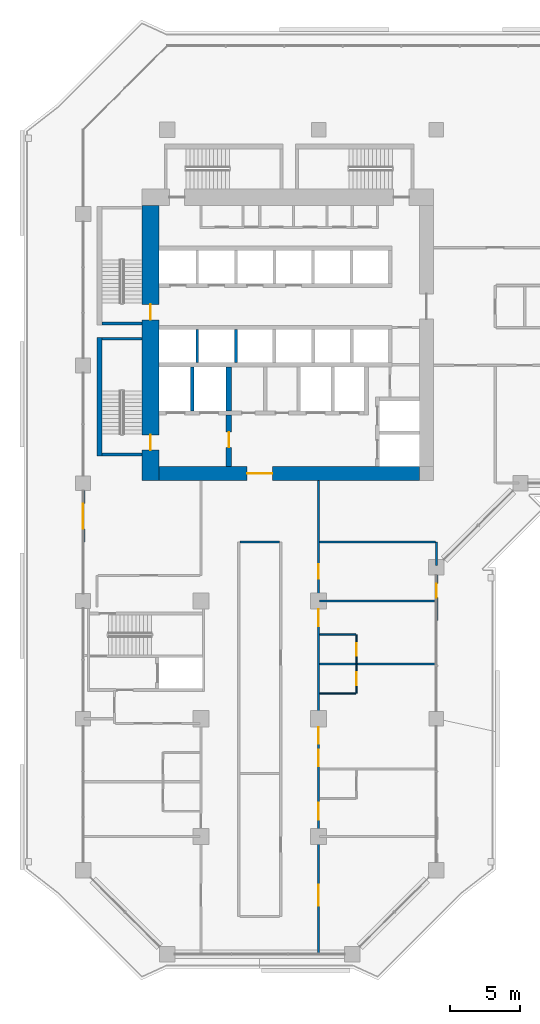
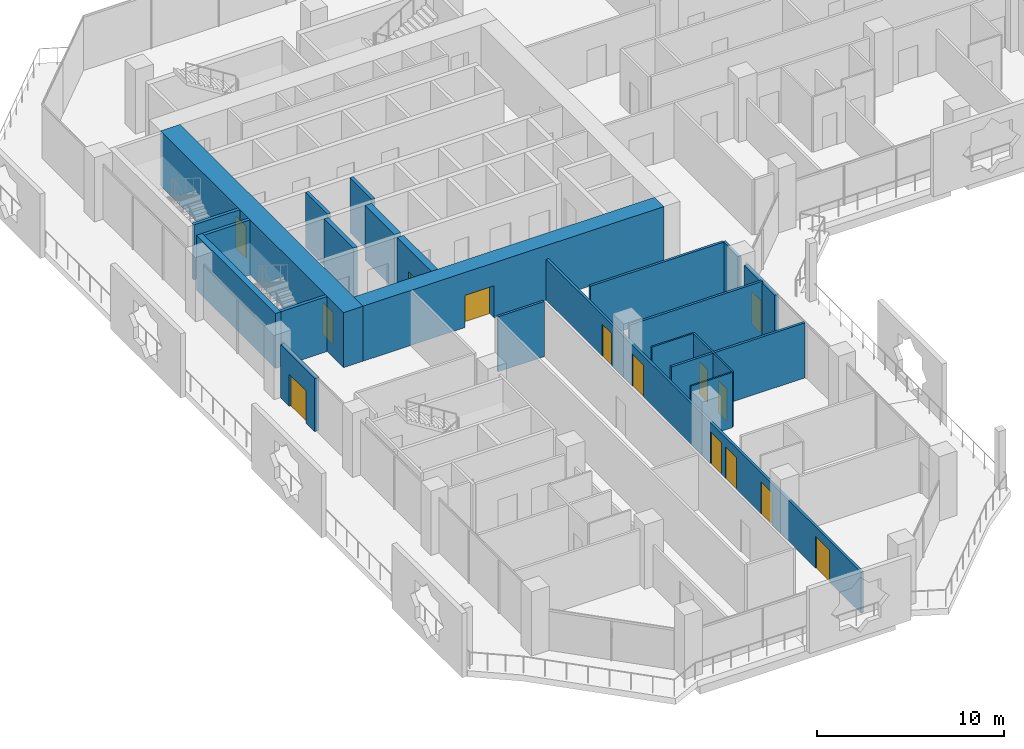
# One storey, part 14 of 25: 22 walls, 14 doors, 14 openings.
"""IFC4 building model written with IfcOpenShell, lengths in metres."""

import ifcopenshell
import ifcopenshell.guid

model = None  # the IFC model being written
_history = None  # IfcOwnerHistory: only IFC2X3 demands one
_inside = {}  # id of a spatial element -> (the spatial element, [elements in it])
_under = {}  # id of a project, library or spatial element -> (it, [spatial elements below it])
_declared = {}  # id of a project -> (the project, [libraries it declares])
_typed = {}  # id of a type object -> (the type object, [elements of that type])
_made_of = {}  # id of a material, layer set ... -> (it, [elements and type objects made of it])


def new_model(schema):
    """Start an empty IFC model of exactly this schema.

    Asked for "IFC4X3", IfcOpenShell would pick the latest addendum, in which some entities
    have other attributes; the version numbers below select the first issue.
    IFC2X3 requires an IfcOwnerHistory on every rooted entity: one is made here for all.
    """
    global model, _history
    if schema == "IFC4X3":
        model = ifcopenshell.file(schema_version=(4, 3, 0, 0))
    else:
        model = ifcopenshell.file(schema=schema)
    _inside.clear()
    _under.clear()
    _declared.clear()
    _typed.clear()
    _made_of.clear()
    _history = None
    if model.schema == "IFC2X3":
        org = make("IfcOrganization", Name="unknown")
        user = make(
            "IfcPersonAndOrganization",
            ThePerson=make("IfcPerson", FamilyName="unknown"),
            TheOrganization=org,
        )
        app = make(
            "IfcApplication",
            ApplicationDeveloper=org,
            Version="unknown",
            ApplicationFullName="unknown",
            ApplicationIdentifier="unknown",
        )
        _history = make(
            "IfcOwnerHistory",
            OwningUser=user,
            OwningApplication=app,
            ChangeAction="ADDED",
            CreationDate=0,
        )
    return model


def make(cls, **values):
    """One entity of the class cls with the attributes given. An attribute that is None is left unset."""
    return model.create_entity(
        cls, **{name: value for name, value in values.items() if value is not None}
    )


def rooted(cls, **values):
    """An entity with a GlobalId (a new one), such as an element, a storey or a relation."""
    return make(cls, GlobalId=ifcopenshell.guid.new(), OwnerHistory=_history, **values)


def si_unit(unit_type, name, prefix=None):
    """IfcSIUnit, for example si_unit("LENGTHUNIT", "METRE", prefix="MILLI")."""
    return make("IfcSIUnit", UnitType=unit_type, Prefix=prefix, Name=name)


def assignment(units):
    """IfcUnitAssignment: the units of a project."""
    return None if units is None else make("IfcUnitAssignment", Units=units)


def point(xyz):
    """IfcCartesianPoint."""
    return None if xyz is None else make("IfcCartesianPoint", Coordinates=xyz)


def direction(xyz):
    """IfcDirection."""
    return None if xyz is None else make("IfcDirection", DirectionRatios=xyz)


def frame(location, z_axis=None, x_axis=None):
    """IfcAxis2Placement3D, a coordinate frame: its origin and axes. An axis left out is left unset."""
    return make(
        "IfcAxis2Placement3D",
        Location=point(location),
        Axis=direction(z_axis),
        RefDirection=direction(x_axis),
    )


def frame_2d(location, x_axis=None):
    """IfcAxis2Placement2D, a coordinate frame in the plane: its origin and x axis."""
    return make(
        "IfcAxis2Placement2D", Location=point(location), RefDirection=direction(x_axis)
    )


def origin():
    """The frame at (0, 0, 0) with its axes left unset."""
    return frame((0.0, 0.0, 0.0))


def place(relative_to, where):
    """IfcLocalPlacement: puts the frame where relative to a parent placement (None: the world)."""
    return make(
        "IfcLocalPlacement", PlacementRelTo=relative_to, RelativePlacement=where
    )


def context(
    kind, dimensions, precision=None, world=None, true_north=None, identifier=None
):
    """IfcGeometricRepresentationContext, for example the 3D "Model" context."""
    return make(
        "IfcGeometricRepresentationContext",
        ContextIdentifier=identifier,
        ContextType=kind,
        CoordinateSpaceDimension=dimensions,
        Precision=precision,
        WorldCoordinateSystem=world,
        TrueNorth=true_north,
    )


def subcontext(parent, identifier, kind, view, scale=None):
    """IfcGeometricRepresentationSubContext, for example "Body" below "Model"."""
    return make(
        "IfcGeometricRepresentationSubContext",
        ContextIdentifier=identifier,
        ContextType=kind,
        ParentContext=parent,
        TargetScale=scale,
        TargetView=view,
    )


def project(units=None, contexts=None):
    """IfcProject with its units and contexts."""
    return rooted(
        "IfcProject",
        Name="project",
        RepresentationContexts=contexts,
        UnitsInContext=assignment(units),
    )


def spatial(cls, under=None, at=None, **own):
    """A site, building, storey or space (cls), placed at a placement, below another one or the project."""
    s = rooted(cls, ObjectPlacement=at, **own)
    if under is not None:
        _under.setdefault(under.id(), (under, []))[1].append(s)
    return s


def profile(cls, at=None, kind="AREA", **sizes):
    """A parametric profile (cls). Its sizes go by their IFC names, for example OverallWidth=200.0."""
    return make(cls, ProfileType=kind, Position=at, **sizes)


def rectangle(**sizes):
    """IfcRectangleProfileDef."""
    return profile("IfcRectangleProfileDef", **sizes)


def extrude(swept, where, along, depth):
    """IfcExtrudedAreaSolid: the profile swept, set in the frame where, extruded along a direction by depth."""
    return make(
        "IfcExtrudedAreaSolid",
        SweptArea=swept,
        Position=where,
        ExtrudedDirection=direction(along),
        Depth=depth,
    )


def shape(context_of_items, identifier, shape_type, items):
    """IfcShapeRepresentation: the items that make up one representation, for example the "Body"."""
    return make(
        "IfcShapeRepresentation",
        ContextOfItems=context_of_items,
        RepresentationIdentifier=identifier,
        RepresentationType=shape_type,
        Items=items,
    )


def material(Name=None, Category=None):
    """IfcMaterial."""
    return make("IfcMaterial", Name=Name, Category=Category)


def layer(
    of_material, thickness, ventilated=None, Name=None, Category=None, Priority=None
):
    """IfcMaterialLayer: one layer of a wall or slab, of a material (None: an air gap)."""
    return make(
        "IfcMaterialLayer",
        Material=of_material,
        LayerThickness=thickness,
        IsVentilated=ventilated,
        Name=Name,
        Category=Category,
        Priority=Priority,
    )


def layer_set(layers, Name=None):
    """IfcMaterialLayerSet."""
    return make("IfcMaterialLayerSet", MaterialLayers=layers, LayerSetName=Name)


def made_of(thing, what):
    """Note that an element or type object is made of a material, layer set ...; save() writes the relation."""
    if what is not None:
        _made_of.setdefault(what.id(), (what, []))[1].append(thing)
    return thing


def type_object(cls, material=None, **own):
    """A type object (cls), such as IfcWallType, which elements share."""
    return made_of(rooted(cls, **own), material)


def element(
    cls,
    number,
    at=None,
    inside=None,
    cuts=None,
    type_object=None,
    material=None,
    context=None,
    identifier="Body",
    shape_type=None,
    held_by="IfcProductDefinitionShape",
    body=None,
    shapes=None,
    **own,
):
    """One element of the class cls, such as IfcWall. Its Tag is "e" and its number.

    at: its placement. inside: the storey or other place that contains it. cuts: it is an
    opening in that element (IfcRelVoidsElement). A single representation is given by context,
    identifier, shape_type and body (its items); several are given by shapes. held_by: the class
    of the entity that holds the representations. save() writes the other relations.
    """
    e = rooted(cls, Tag="e%d" % number, ObjectPlacement=at, **own)
    if body is not None:
        shapes = [shape(context, identifier, shape_type, body)]
    if shapes is not None:
        e.Representation = make(held_by, Representations=shapes)
    if inside is not None:
        _inside.setdefault(inside.id(), (inside, []))[1].append(e)
    if cuts is not None:
        rooted(
            "IfcRelVoidsElement", RelatingBuildingElement=cuts, RelatedOpeningElement=e
        )
    if type_object is not None:
        _typed.setdefault(type_object.id(), (type_object, []))[1].append(e)
    return made_of(e, material)


def fill(opening, filler):
    """IfcRelFillsElement: the door or window that sits in an opening."""
    return rooted(
        "IfcRelFillsElement",
        RelatingOpeningElement=opening,
        RelatedBuildingElement=filler,
    )


def aggregate(whole, parts):
    """IfcRelAggregates: a whole, such as a stair, and the parts it consists of."""
    return rooted("IfcRelAggregates", RelatingObject=whole, RelatedObjects=parts)


def save(model, path):
    """Write the relations noted so far, then the file.

    IfcRelAggregates (storeys below a building ...), IfcRelContainedInSpatialStructure (elements
    in a storey), IfcRelDefinesByType, IfcRelAssociatesMaterial and IfcRelDeclares: one each for
    every whole, place, type object, material and project.
    """
    for whole, parts in _under.values():
        aggregate(whole, parts)
    for where, things in _inside.values():
        rooted(
            "IfcRelContainedInSpatialStructure",
            RelatedElements=things,
            RelatingStructure=where,
        )
    for kind, things in _typed.values():
        rooted("IfcRelDefinesByType", RelatedObjects=things, RelatingType=kind)
    for what, things in _made_of.values():
        rooted("IfcRelAssociatesMaterial", RelatedObjects=things, RelatingMaterial=what)
    for by, libraries in _declared.values():
        rooted("IfcRelDeclares", RelatingContext=by, RelatedDefinitions=libraries)
    model.write(path)


model = new_model("IFC4")

# Units and contexts
model_context = context("Model", 3, precision=1e-05, world=origin(), true_north=direction((0.0, 1.0)))
body_context = subcontext(model_context, "Body", "Model", "MODEL_VIEW")
ifc_project = project(units=[si_unit("LENGTHUNIT", "METRE"), si_unit("AREAUNIT", "SQUARE_METRE"), si_unit("VOLUMEUNIT", "CUBIC_METRE"), si_unit("PLANEANGLEUNIT", "RADIAN"), si_unit("MASSUNIT", "GRAM", prefix="KILO")], contexts=[model_context])

# Site, building, storey
site_placement = place(None, origin())
site = spatial("IfcSite", under=ifc_project, at=site_placement, CompositionType="ELEMENT")
building_placement = place(site_placement, origin())
building = spatial("IfcBuilding", under=site, at=building_placement, Name="Kawkab Arch Medical Tower", CompositionType="ELEMENT")
storey_placement = place(building_placement, frame((0.0, 0.0, 111.39990234375)))
storey = spatial("IfcBuildingStorey", under=building, at=storey_placement, Name="L25", CompositionType="ELEMENT", Elevation=111.39990234375)

# Wall, opening, door
ifc_material_1 = material(Name="Concrete C60/75", Category="concrete")
ifc_layer_1 = layer(ifc_material_1, 1.0)
ifc_layer_set_1 = layer_set([ifc_layer_1], Name="Concrete C60/75")
wall_type_1 = type_object("IfcWallType", Name="Core ring wall 1000 C60/75", PredefinedType="SHEAR", material=ifc_layer_set_1)
wall_1_placement = place(storey_placement, frame((5.39990234375, -24.5, 0.0), z_axis=(0.0, 0.0, 1.0), x_axis=(1.0, 0.0, 0.0)))
wall_1 = element("IfcWall", 1, at=wall_1_placement, inside=storey, type_object=wall_type_1, Name="L25 core wall", PredefinedType="SHEAR", context=body_context, shape_type="SweptSolid", body=[
    extrude(rectangle(XDim=18.60009765625, YDim=1.0, at=frame_2d((9.300048828125, 0.0))), origin(), (0.0, 0.0, 1.0), 3.60009765625),
])
opening_1_placement = place(wall_1_placement, frame((6.300048828125, 0.0, 0.0)))
opening_1 = element("IfcOpeningElement", 2, at=opening_1_placement, cuts=wall_1, Name="Opening PD", PredefinedType="OPENING", context=body_context, shape_type="SweptSolid", body=[
    extrude(rectangle(XDim=1.800048828125, YDim=2.10009765625, at=frame_2d((0.89990234375, 1.050048828125))), frame((0.0, 0.510009765625, 0.0), z_axis=(0.0, -1.0, 0.0), x_axis=(1.0, 0.0, 0.0)), (0.0, 0.0, 1.0), 1.02001953125),
])
ifc_material_2 = material(Name="Hollow metal fire door leaf")
door_type_1 = type_object("IfcDoorType", Name="Core entrance doors 1800", OperationType="DOUBLE_DOOR_SINGLE_SWING", PredefinedType="DOOR", material=ifc_material_2)
door_1_placement = place(opening_1_placement, origin())
door_1 = element("IfcDoor", 3, at=door_1_placement, inside=storey, type_object=door_type_1, Name="L25 South entrance doors", OperationType="DOUBLE_DOOR_SINGLE_SWING", OverallHeight=2.10009765625, OverallWidth=1.800048828125, PredefinedType="DOOR", context=body_context, shape_type="SweptSolid", body=[
    extrude(rectangle(XDim=1.800048828125, YDim=2.10009765625, at=frame_2d((0.89990234375, 1.050048828125))), frame((0.0, 0.02490234375, 0.0), z_axis=(0.0, -1.0, 0.0), x_axis=(1.0, 0.0, 0.0)), (0.0, 0.0, 1.0), 0.050048828125),
])
fill(opening_1, door_1)

# Wall, openings, doors
ifc_material_3 = material(Name="Concrete C60/75", Category="concrete")
ifc_layer_2 = layer(ifc_material_3, 1.199951171875)
ifc_layer_set_2 = layer_set([ifc_layer_2], Name="Concrete C60/75")
wall_type_2 = type_object("IfcWallType", Name="Core ring wall 1200 C60/75", PredefinedType="SHEAR", material=ifc_layer_set_2)
wall_2_placement = place(storey_placement, frame((4.800048828125, -25.0, 0.0), z_axis=(0.0, 0.0, 1.0), x_axis=(0.0, 1.0, 0.0)))
wall_2 = element("IfcWall", 4, at=wall_2_placement, inside=storey, type_object=wall_type_2, Name="L25 core wall", PredefinedType="SHEAR", context=body_context, shape_type="SweptSolid", body=[
    extrude(rectangle(XDim=19.60009765625, YDim=1.199951171875, at=frame_2d((9.800048828125, 0.0))), origin(), (0.0, 0.0, 1.0), 3.60009765625),
])
opening_2_placement = place(wall_2_placement, frame((11.449951171875, 0.0, 0.0)))
opening_2 = element("IfcOpeningElement", 5, at=opening_2_placement, cuts=wall_2, Name="Opening SD", PredefinedType="OPENING", context=body_context, shape_type="SweptSolid", body=[
    extrude(rectangle(XDim=1.10009765625, YDim=2.10009765625, at=frame_2d((0.550048828125, 1.050048828125))), frame((0.0, 0.60986328125, 0.0), z_axis=(0.0, -1.0, 0.0), x_axis=(1.0, 0.0, 0.0)), (0.0, 0.0, 1.0), 1.219970703125),
])
opening_3_placement = place(wall_2_placement, frame((2.14990234375, 0.0, 0.0)))
opening_3 = element("IfcOpeningElement", 6, at=opening_3_placement, cuts=wall_2, Name="Opening SD", PredefinedType="OPENING", context=body_context, shape_type="SweptSolid", body=[
    extrude(rectangle(XDim=1.10009765625, YDim=2.10009765625, at=frame_2d((0.550048828125, 1.050048828125))), frame((0.0, 0.60986328125, 0.0), z_axis=(0.0, -1.0, 0.0), x_axis=(1.0, 0.0, 0.0)), (0.0, 0.0, 1.0), 1.219970703125),
])
ifc_material_4 = material(Name="Hollow metal fire door leaf")
door_type_2 = type_object("IfcDoorType", Name="Exit stair door 1100", OperationType="SINGLE_SWING_LEFT", PredefinedType="DOOR", material=ifc_material_4)
door_2_placement = place(opening_2_placement, origin())
door_2 = element("IfcDoor", 7, at=door_2_placement, inside=storey, type_object=door_type_2, Name="L25 Exit stair ST1 door", OperationType="SINGLE_SWING_LEFT", OverallHeight=2.10009765625, OverallWidth=1.10009765625, PredefinedType="DOOR", context=body_context, shape_type="SweptSolid", body=[
    extrude(rectangle(XDim=1.10009765625, YDim=2.10009765625, at=frame_2d((0.550048828125, 1.050048828125))), frame((0.0, 0.02490234375, 0.0), z_axis=(0.0, -1.0, 0.0), x_axis=(1.0, 0.0, 0.0)), (0.0, 0.0, 1.0), 0.050048828125),
])
fill(opening_2, door_2)
door_3_placement = place(opening_3_placement, origin())
door_3 = element("IfcDoor", 8, at=door_3_placement, inside=storey, type_object=door_type_2, Name="L25 Exit stair ST2 door", OperationType="SINGLE_SWING_LEFT", OverallHeight=2.10009765625, OverallWidth=1.10009765625, PredefinedType="DOOR", context=body_context, shape_type="SweptSolid", body=[
    extrude(rectangle(XDim=1.10009765625, YDim=2.10009765625, at=frame_2d((0.550048828125, 1.050048828125))), frame((0.0, 0.02490234375, 0.0), z_axis=(0.0, -1.0, 0.0), x_axis=(1.0, 0.0, 0.0)), (0.0, 0.0, 1.0), 0.050048828125),
])
fill(opening_3, door_3)

# Wall
ifc_material_5 = material(Name="Concrete C60/75", Category="concrete")
ifc_layer_3 = layer(ifc_material_5, 0.25)
ifc_layer_set_3 = layer_set([ifc_layer_3], Name="Concrete C60/75")
wall_type_3 = type_object("IfcWallType", Name="Core shear wall 250 C60/75", PredefinedType="SHEAR", material=ifc_layer_set_3)
wall_3_placement = place(storey_placement, frame((7.800048828125, -20.050048828125, 0.0), z_axis=(0.0, 0.0, 1.0), x_axis=(0.0, 1.0, 0.0)))
element("IfcWall", 9, at=wall_3_placement, inside=storey, type_object=wall_type_3, Name="L25 core shear wall", PredefinedType="SHEAR", context=body_context, shape_type="SweptSolid", body=[
    extrude(rectangle(XDim=3.150146484375, YDim=0.25, at=frame_2d((1.5751953125, 0.0))), origin(), (0.0, 0.0, 1.0), 3.60009765625),
])

# Wall, opening, door
ifc_material_6 = material(Name="Concrete C60/75", Category="concrete")
ifc_layer_4 = layer(ifc_material_6, 0.39990234375)
ifc_layer_set_4 = layer_set([ifc_layer_4], Name="Concrete C60/75")
wall_type_4 = type_object("IfcWallType", Name="Core shear wall 400 C60/75", PredefinedType="SHEAR", material=ifc_layer_set_4)
wall_4_placement = place(storey_placement, frame((10.39990234375, -24.0, 0.0), z_axis=(0.0, 0.0, 1.0), x_axis=(0.0, 1.0, 0.0)))
wall_4 = element("IfcWall", 10, at=wall_4_placement, inside=storey, type_object=wall_type_4, Name="L25 core shear wall", PredefinedType="SHEAR", context=body_context, shape_type="SweptSolid", body=[
    extrude(rectangle(XDim=3.64990234375, YDim=0.39990234375, at=frame_2d((1.824951171875, 0.0))), origin(), (0.0, 0.0, 1.0), 3.60009765625),
])
opening_4_placement = place(wall_4_placement, frame((1.35009765625, 0.0, 0.0)))
opening_4 = element("IfcOpeningElement", 11, at=opening_4_placement, cuts=wall_4, Name="Opening FD", PredefinedType="OPENING", context=body_context, shape_type="SweptSolid", body=[
    extrude(rectangle(XDim=1.10009765625, YDim=2.10009765625, at=frame_2d((0.550048828125, 1.050048828125))), frame((0.0, 0.2099609375, 0.0), z_axis=(0.0, -1.0, 0.0), x_axis=(1.0, 0.0, 0.0)), (0.0, 0.0, 1.0), 0.419921875),
])
ifc_material_7 = material(Name="Hollow metal fire door leaf")
door_type_3 = type_object("IfcDoorType", Name="Firefighting lobby door 1100", OperationType="SINGLE_SWING_LEFT", PredefinedType="DOOR", material=ifc_material_7)
door_4_placement = place(opening_4_placement, origin())
door_4 = element("IfcDoor", 12, at=door_4_placement, inside=storey, type_object=door_type_3, Name="L25 Firefighting lobby door", OperationType="SINGLE_SWING_LEFT", OverallHeight=2.10009765625, OverallWidth=1.10009765625, PredefinedType="DOOR", context=body_context, shape_type="SweptSolid", body=[
    extrude(rectangle(XDim=1.10009765625, YDim=2.10009765625, at=frame_2d((0.550048828125, 1.050048828125))), frame((0.0, 0.02490234375, 0.0), z_axis=(0.0, -1.0, 0.0), x_axis=(1.0, 0.0, 0.0)), (0.0, 0.0, 1.0), 0.050048828125),
])
fill(opening_4, door_4)

# Wall
wall_5_placement = place(storey_placement, frame((10.39990234375, -20.050048828125, 0.0), z_axis=(0.0, 0.0, 1.0), x_axis=(0.0, 1.0, 0.0)))
element("IfcWall", 13, at=wall_5_placement, inside=storey, type_object=wall_type_4, Name="L25 core shear wall", PredefinedType="SHEAR", context=body_context, shape_type="SweptSolid", body=[
    extrude(rectangle(XDim=3.150146484375, YDim=0.39990234375, at=frame_2d((1.5751953125, 0.0))), origin(), (0.0, 0.0, 1.0), 3.60009765625),
])

# Wall, opening, door
ifc_material_8 = material(Name="Bronze clad insulated wall panel")
ifc_layer_5 = layer(ifc_material_8, 0.25)
ifc_layer_set_5 = layer_set([ifc_layer_5], Name="Bronze clad insulated wall panel")
wall_type_5 = type_object("IfcWallType", Name="External wall bay 250", PredefinedType="SOLIDWALL", material=ifc_layer_set_5)
wall_6_placement = place(storey_placement, frame((0.0, -25.72509765625, 0.0), z_axis=(0.0, 0.0, 1.0), x_axis=(0.0, -1.0, 0.0)))
wall_6 = element("IfcWall", 14, at=wall_6_placement, inside=storey, type_object=wall_type_5, Name="External wall bay L25.R01.4.1", PredefinedType="SOLIDWALL", context=body_context, shape_type="SweptSolid", body=[
    extrude(rectangle(XDim=3.6748046875, YDim=0.25, at=frame_2d((1.83740234375, 0.0))), origin(), (0.0, 0.0, 1.0), 3.47998046875),
])
opening_5_placement = place(wall_6_placement, frame((0.9375, 0.0, 0.0)))
opening_5 = element("IfcOpeningElement", 15, at=opening_5_placement, cuts=wall_6, Name="Opening W25-701", PredefinedType="OPENING", context=body_context, shape_type="SweptSolid", body=[
    extrude(rectangle(XDim=1.800048828125, YDim=2.10009765625, at=frame_2d((0.89990234375, 1.050048828125))), frame((0.0, 0.135009765625, 0.0), z_axis=(0.0, -1.0, 0.0), x_axis=(1.0, 0.0, 0.0)), (0.0, 0.0, 1.0), 0.27001953125),
])
ifc_material_9 = material(Name="Bronze anodised aluminium door with tinted glass", Category="aluminium")
door_type_4 = type_object("IfcDoorType", Name="Double external door 1800 x 2100", OperationType="DOUBLE_DOOR_SINGLE_SWING", PredefinedType="DOOR", material=ifc_material_9)
door_5_placement = place(opening_5_placement, origin())
door_5 = element("IfcDoor", 16, at=door_5_placement, inside=storey, type_object=door_type_4, Name="External door L25.R01.4.1", OperationType="DOUBLE_DOOR_SINGLE_SWING", OverallHeight=2.10009765625, OverallWidth=1.800048828125, PredefinedType="DOOR", context=body_context, shape_type="SweptSolid", body=[
    extrude(rectangle(XDim=1.800048828125, YDim=2.10009765625, at=frame_2d((0.89990234375, 1.050048828125))), frame((0.0, 0.02490234375, 0.0), z_axis=(0.0, -1.0, 0.0), x_axis=(1.0, 0.0, 0.0)), (0.0, 0.0, 1.0), 0.050048828125),
])
fill(opening_5, door_5)

wall_7_placement = place(storey_placement, frame((25.199951171875, -34.99169921875, 0.0), z_axis=(0.0, 0.0, 1.0), x_axis=(0.0, 1.0, 0.0)))
wall_7 = element("IfcWall", 17, at=wall_7_placement, inside=storey, type_object=wall_type_5, Name="External wall bay L25.R05.2.3", PredefinedType="SOLIDWALL", context=body_context, shape_type="SweptSolid", body=[
    extrude(rectangle(XDim=3.24169921875, YDim=0.25, at=frame_2d((1.620849609375, 0.0))), origin(), (0.0, 0.0, 1.0), 3.47998046875),
])
opening_6_placement = place(wall_7_placement, frame((1.620849609375, 0.0, 0.0)))
opening_6 = element("IfcOpeningElement", 18, at=opening_6_placement, cuts=wall_7, Name="Opening W25-702", PredefinedType="OPENING", context=body_context, shape_type="SweptSolid", body=[
    extrude(rectangle(XDim=1.0, YDim=2.10009765625, at=frame_2d((0.5, 1.050048828125))), frame((0.0, 0.135009765625, 0.0), z_axis=(0.0, -1.0, 0.0), x_axis=(1.0, 0.0, 0.0)), (0.0, 0.0, 1.0), 0.27001953125),
])
ifc_material_10 = material(Name="Bronze anodised aluminium door with tinted glass", Category="aluminium")
door_type_5 = type_object("IfcDoorType", Name="Single external door 1000 x 2100", OperationType="SINGLE_SWING_LEFT", PredefinedType="DOOR", material=ifc_material_10)
door_6_placement = place(opening_6_placement, origin())
door_6 = element("IfcDoor", 19, at=door_6_placement, inside=storey, type_object=door_type_5, Name="External door L25.R05.2.3", OperationType="SINGLE_SWING_LEFT", OverallHeight=2.10009765625, OverallWidth=1.0, PredefinedType="DOOR", context=body_context, shape_type="SweptSolid", body=[
    extrude(rectangle(XDim=1.0, YDim=2.10009765625, at=frame_2d((0.5, 1.050048828125))), frame((0.0, 0.02490234375, 0.0), z_axis=(0.0, -1.0, 0.0), x_axis=(1.0, 0.0, 0.0)), (0.0, 0.0, 1.0), 0.050048828125),
])
fill(opening_6, door_6)

# Walls
ifc_material_11 = material(Name="Dense concrete blockwork", Category="masonry")
ifc_layer_6 = layer(ifc_material_11, 0.199951171875)
ifc_layer_set_6 = layer_set([ifc_layer_6], Name="Dense concrete blockwork")
wall_type_6 = type_object("IfcWallType", Name="Lift shaft partition 200", PredefinedType="PARTITIONING", material=ifc_layer_set_6)
for number, where, z_axis, x_axis, name in (
    (20, (8.14990234375, -16.60009765625, 0.0), (0.0, 0.0, 1.0), (0.0, 1.0, 0.0), "L25 lift shaft partition"),
    (21, (10.89990234375, -16.60009765625, 0.0), (0.0, 0.0, 1.0), (0.0, 1.0, 0.0), "L25 lift shaft partition"),
):
    element("IfcWall", number, at=place(storey_placement, frame(where, z_axis=z_axis, x_axis=x_axis)), inside=storey, type_object=wall_type_6, Name=name, PredefinedType="PARTITIONING", context=body_context, shape_type="SweptSolid", body=[
        extrude(rectangle(XDim=2.35009765625, YDim=0.199951171875, at=frame_2d((1.175048828125, 0.0))), origin(), (0.0, 0.0, 1.0), 3.60009765625),
    ])
ifc_material_12 = material(Name="Gypsum board partition on steel studs", Category="steel")
ifc_layer_7 = layer(ifc_material_12, 0.10009765625)
ifc_layer_set_7 = layer_set([ifc_layer_7], Name="Gypsum board partition on steel studs")
wall_type_7 = type_object("IfcWallType", Name="Partition 100", PredefinedType="PARTITIONING", material=ifc_layer_set_7)
wall_8_placement = place(storey_placement, frame((16.875, -40.199951171875, 0.0), z_axis=(0.0, 0.0, 1.0), x_axis=(1.0, 0.0, 0.0)))
element("IfcWall", 22, at=wall_8_placement, inside=storey, type_object=wall_type_7, Name="Partition 100 w004", PredefinedType="PARTITIONING", context=body_context, shape_type="SweptSolid", body=[
    extrude(rectangle(XDim=2.573974609375, YDim=0.10009765625, at=frame_2d((1.287109375, 0.0))), origin(), (0.0, 0.0, 1.0), 3.60009765625),
])
wall_9_placement = place(storey_placement, frame((16.875, -36.0, 0.0), z_axis=(0.0, 0.0, 1.0), x_axis=(1.0, 0.0, 0.0)))
element("IfcWall", 23, at=wall_9_placement, inside=storey, type_object=wall_type_7, Name="Partition 100 w005", PredefinedType="PARTITIONING", context=body_context, shape_type="SweptSolid", body=[
    extrude(rectangle(XDim=2.574951171875, YDim=0.10009765625, at=frame_2d((1.28759765625, 0.0))), origin(), (0.0, 0.0, 1.0), 3.60009765625),
])

# Wall, openings, doors
wall_10_placement = place(storey_placement, frame((19.5, -40.197998046875, 0.0), z_axis=(0.0, 0.0, 1.0), x_axis=(0.0, 1.0, 0.0)))
wall_10 = element("IfcWall", 24, at=wall_10_placement, inside=storey, type_object=wall_type_7, Name="Partition 100 w017", PredefinedType="PARTITIONING", context=body_context, shape_type="SweptSolid", body=[
    extrude(rectangle(XDim=4.197998046875, YDim=0.10009765625, at=frame_2d((2.09912109375, 0.0))), origin(), (0.0, 0.0, 1.0), 3.60009765625),
])
opening_7_placement = place(wall_10_placement, frame((2.697998046875, 0.0, 0.0)))
opening_7 = element("IfcOpeningElement", 25, at=opening_7_placement, cuts=wall_10, Name="Opening W25-018", PredefinedType="OPENING", context=body_context, shape_type="SweptSolid", body=[
    extrude(rectangle(XDim=0.89990234375, YDim=2.10009765625, at=frame_2d((0.449951171875, 1.050048828125))), frame((0.0, 0.06005859375, 0.0), z_axis=(0.0, -1.0, 0.0), x_axis=(1.0, 0.0, 0.0)), (0.0, 0.0, 1.0), 0.1201171875),
])
opening_8_placement = place(wall_10_placement, frame((0.59912109375, 0.0, 0.0)))
opening_8 = element("IfcOpeningElement", 26, at=opening_8_placement, cuts=wall_10, Name="Opening W25-019", PredefinedType="OPENING", context=body_context, shape_type="SweptSolid", body=[
    extrude(rectangle(XDim=0.89990234375, YDim=2.10009765625, at=frame_2d((0.449951171875, 1.050048828125))), frame((0.0, 0.06005859375, 0.0), z_axis=(0.0, -1.0, 0.0), x_axis=(1.0, 0.0, 0.0)), (0.0, 0.0, 1.0), 0.1201171875),
])
ifc_material_13 = material(Name="Timber door leaf", Category="wood")
door_type_6 = type_object("IfcDoorType", Name="Single door 900x2100", OperationType="NOTDEFINED", PredefinedType="DOOR", material=ifc_material_13)
door_7_placement = place(opening_7_placement, origin())
door_7 = element("IfcDoor", 27, at=door_7_placement, inside=storey, type_object=door_type_6, Name="Door W25-018", OperationType="SINGLE_SWING_LEFT", OverallHeight=2.10009765625, OverallWidth=0.89990234375, PredefinedType="DOOR", context=body_context, shape_type="SweptSolid", body=[
    extrude(rectangle(XDim=0.89990234375, YDim=2.10009765625, at=frame_2d((0.449951171875, 1.050048828125))), frame((0.0, 0.02490234375, 0.0), z_axis=(0.0, -1.0, 0.0), x_axis=(1.0, 0.0, 0.0)), (0.0, 0.0, 1.0), 0.050048828125),
])
fill(opening_7, door_7)
door_8_placement = place(opening_8_placement, origin())
door_8 = element("IfcDoor", 28, at=door_8_placement, inside=storey, type_object=door_type_6, Name="Door W25-019", OperationType="SINGLE_SWING_RIGHT", OverallHeight=2.10009765625, OverallWidth=0.89990234375, PredefinedType="DOOR", context=body_context, shape_type="SweptSolid", body=[
    extrude(rectangle(XDim=0.89990234375, YDim=2.10009765625, at=frame_2d((0.449951171875, 1.050048828125))), frame((0.0, 0.02490234375, 0.0), z_axis=(0.0, -1.0, 0.0), x_axis=(1.0, 0.0, 0.0)), (0.0, 0.0, 1.0), 0.050048828125),
])
fill(opening_8, door_8)

# Walls
ifc_material_14 = material(Name="Gypsum board partition on steel studs, mineral wool", Category="steel")
ifc_layer_8 = layer(ifc_material_14, 0.14990234375)
ifc_layer_set_8 = layer_set([ifc_layer_8], Name="Gypsum board partition on steel studs, mineral wool")
wall_type_8 = type_object("IfcWallType", Name="Partition 150", PredefinedType="PARTITIONING", material=ifc_layer_set_8)
for number, where, z_axis, x_axis, name in (
    (29, (16.875, -38.10009765625, 0.0), (0.0, 0.0, 1.0), (1.0, 0.0, 0.0), "Partition 150 w036"),
    (30, (16.875, -33.60009765625, 0.0), (0.0, 0.0, 1.0), (1.0, 0.0, 0.0), "Partition 150 w038"),
):
    element("IfcWall", number, at=place(storey_placement, frame(where, z_axis=z_axis, x_axis=x_axis)), inside=storey, type_object=wall_type_8, Name=name, PredefinedType="PARTITIONING", context=body_context, shape_type="SweptSolid", body=[
        extrude(rectangle(XDim=8.2451171875, YDim=0.14990234375, at=frame_2d((4.12255859375, 0.0))), origin(), (0.0, 0.0, 1.0), 3.60009765625),
    ])
wall_11_placement = place(storey_placement, frame((11.175048828125, -29.39990234375, 0.0), z_axis=(0.0, 0.0, 1.0), x_axis=(1.0, 0.0, 0.0)))
element("IfcWall", 31, at=wall_11_placement, inside=storey, type_object=wall_type_8, Name="Partition 150 w040", PredefinedType="PARTITIONING", context=body_context, shape_type="SweptSolid", body=[
    extrude(rectangle(XDim=2.849853515625, YDim=0.14990234375, at=frame_2d((1.4248046875, 0.0))), origin(), (0.0, 0.0, 1.0), 3.60009765625),
])
wall_12_placement = place(storey_placement, frame((16.875, -29.39990234375, 0.0), z_axis=(0.0, 0.0, 1.0), x_axis=(1.0, 0.0, 0.0)))
element("IfcWall", 32, at=wall_12_placement, inside=storey, type_object=wall_type_8, Name="Partition 150 w041", PredefinedType="PARTITIONING", context=body_context, shape_type="SweptSolid", body=[
    extrude(rectangle(XDim=8.25, YDim=0.14990234375, at=frame_2d((4.125, 0.0))), origin(), (0.0, 0.0, 1.0), 3.60009765625),
])

# Wall, openings, doors
wall_13_placement = place(storey_placement, frame((16.800048828125, -58.719970703125, 0.0), z_axis=(0.0, 0.0, 1.0), x_axis=(0.0, 1.0, 0.0)))
wall_13 = element("IfcWall", 33, at=wall_13_placement, inside=storey, type_object=wall_type_8, Name="Partition 150 w060", PredefinedType="PARTITIONING", context=body_context, shape_type="SweptSolid", body=[
    extrude(rectangle(XDim=33.719970703125, YDim=0.14990234375, at=frame_2d((16.85986328125, 0.0))), origin(), (0.0, 0.0, 1.0), 2.7001953125),
])
opening_9_placement = place(wall_13_placement, frame((26.719970703125, 0.0, 0.0)))
opening_9 = element("IfcOpeningElement", 34, at=opening_9_placement, cuts=wall_13, Name="Opening W25-036", PredefinedType="OPENING", context=body_context, shape_type="SweptSolid", body=[
    extrude(rectangle(XDim=1.0, YDim=2.10009765625, at=frame_2d((0.5, 1.050048828125))), frame((0.0, 0.0849609375, 0.0), z_axis=(0.0, -1.0, 0.0), x_axis=(1.0, 0.0, 0.0)), (0.0, 0.0, 1.0), 0.169921875),
])
opening_10_placement = place(wall_13_placement, frame((23.320068359375, 0.0, 0.0)))
opening_10 = element("IfcOpeningElement", 35, at=opening_10_placement, cuts=wall_13, Name="Opening W25-054", PredefinedType="OPENING", context=body_context, shape_type="SweptSolid", body=[
    extrude(rectangle(XDim=1.199951171875, YDim=2.10009765625, at=frame_2d((0.60009765625, 1.050048828125))), frame((0.0, 0.0849609375, 0.0), z_axis=(0.0, -1.0, 0.0), x_axis=(1.0, 0.0, 0.0)), (0.0, 0.0, 1.0), 0.169921875),
])
opening_11_placement = place(wall_13_placement, frame((14.919921875, 0.0, 0.0)))
opening_11 = element("IfcOpeningElement", 36, at=opening_11_placement, cuts=wall_13, Name="Opening W25-055", PredefinedType="OPENING", context=body_context, shape_type="SweptSolid", body=[
    extrude(rectangle(XDim=1.199951171875, YDim=2.10009765625, at=frame_2d((0.60009765625, 1.050048828125))), frame((0.0, 0.0849609375, 0.0), z_axis=(0.0, -1.0, 0.0), x_axis=(1.0, 0.0, 0.0)), (0.0, 0.0, 1.0), 0.169921875),
])
opening_12_placement = place(wall_13_placement, frame((13.320068359375, 0.0, 0.0)))
opening_12 = element("IfcOpeningElement", 37, at=opening_12_placement, cuts=wall_13, Name="Opening W25-056", PredefinedType="OPENING", context=body_context, shape_type="SweptSolid", body=[
    extrude(rectangle(XDim=1.199951171875, YDim=2.10009765625, at=frame_2d((0.60009765625, 1.050048828125))), frame((0.0, 0.0849609375, 0.0), z_axis=(0.0, -1.0, 0.0), x_axis=(1.0, 0.0, 0.0)), (0.0, 0.0, 1.0), 0.169921875),
])
opening_13_placement = place(wall_13_placement, frame((9.52001953125, 0.0, 0.0)))
opening_13 = element("IfcOpeningElement", 38, at=opening_13_placement, cuts=wall_13, Name="Opening W25-057", PredefinedType="OPENING", context=body_context, shape_type="SweptSolid", body=[
    extrude(rectangle(XDim=1.199951171875, YDim=2.10009765625, at=frame_2d((0.60009765625, 1.050048828125))), frame((0.0, 0.0849609375, 0.0), z_axis=(0.0, -1.0, 0.0), x_axis=(1.0, 0.0, 0.0)), (0.0, 0.0, 1.0), 0.169921875),
])
opening_14_placement = place(wall_13_placement, frame((3.3701171875, 0.0, 0.0)))
opening_14 = element("IfcOpeningElement", 39, at=opening_14_placement, cuts=wall_13, Name="Opening W25-004", PredefinedType="OPENING", context=body_context, shape_type="SweptSolid", body=[
    extrude(rectangle(XDim=1.5, YDim=2.10009765625, at=frame_2d((0.75, 1.050048828125))), frame((0.0, 0.0849609375, 0.0), z_axis=(0.0, -1.0, 0.0), x_axis=(1.0, 0.0, 0.0)), (0.0, 0.0, 1.0), 0.169921875),
])
ifc_material_15 = material(Name="Hollow metal door leaf")
door_type_7 = type_object("IfcDoorType", Name="Double door 1500x2100 FD30S", OperationType="NOTDEFINED", PredefinedType="DOOR", material=ifc_material_15)
door_9_placement = place(opening_14_placement, origin())
door_9 = element("IfcDoor", 40, at=door_9_placement, inside=storey, type_object=door_type_7, Name="Door W25-004", OperationType="DOUBLE_DOOR_SINGLE_SWING", OverallHeight=2.10009765625, OverallWidth=1.5, PredefinedType="DOOR", context=body_context, shape_type="SweptSolid", body=[
    extrude(rectangle(XDim=1.5, YDim=2.10009765625, at=frame_2d((0.75, 1.050048828125))), frame((0.0, 0.02490234375, 0.0), z_axis=(0.0, -1.0, 0.0), x_axis=(1.0, 0.0, 0.0)), (0.0, 0.0, 1.0), 0.050048828125),
])
fill(opening_14, door_9)
ifc_material_16 = material(Name="Hollow metal door leaf")
door_type_8 = type_object("IfcDoorType", Name="Single door 1000x2100 FD30S", OperationType="NOTDEFINED", PredefinedType="DOOR", material=ifc_material_16)
door_10_placement = place(opening_9_placement, origin())
door_10 = element("IfcDoor", 41, at=door_10_placement, inside=storey, type_object=door_type_8, Name="Door W25-036", OperationType="SINGLE_SWING_LEFT", OverallHeight=2.10009765625, OverallWidth=1.0, PredefinedType="DOOR", context=body_context, shape_type="SweptSolid", body=[
    extrude(rectangle(XDim=1.0, YDim=2.10009765625, at=frame_2d((0.5, 1.050048828125))), frame((0.0, 0.02490234375, 0.0), z_axis=(0.0, -1.0, 0.0), x_axis=(1.0, 0.0, 0.0)), (0.0, 0.0, 1.0), 0.050048828125),
])
fill(opening_9, door_10)
ifc_material_17 = material(Name="Hollow metal door leaf")
door_type_9 = type_object("IfcDoorType", Name="Single door 1200x2100 FD30S", OperationType="NOTDEFINED", PredefinedType="DOOR", material=ifc_material_17)
door_11_placement = place(opening_10_placement, origin())
door_11 = element("IfcDoor", 42, at=door_11_placement, inside=storey, type_object=door_type_9, Name="Door W25-054", OperationType="SINGLE_SWING_LEFT", OverallHeight=2.10009765625, OverallWidth=1.199951171875, PredefinedType="DOOR", context=body_context, shape_type="SweptSolid", body=[
    extrude(rectangle(XDim=1.199951171875, YDim=2.10009765625, at=frame_2d((0.60009765625, 1.050048828125))), frame((0.0, 0.02490234375, 0.0), z_axis=(0.0, -1.0, 0.0), x_axis=(1.0, 0.0, 0.0)), (0.0, 0.0, 1.0), 0.050048828125),
])
fill(opening_10, door_11)
door_12_placement = place(opening_11_placement, origin())
door_12 = element("IfcDoor", 43, at=door_12_placement, inside=storey, type_object=door_type_9, Name="Door W25-055", OperationType="SINGLE_SWING_RIGHT", OverallHeight=2.10009765625, OverallWidth=1.199951171875, PredefinedType="DOOR", context=body_context, shape_type="SweptSolid", body=[
    extrude(rectangle(XDim=1.199951171875, YDim=2.10009765625, at=frame_2d((0.60009765625, 1.050048828125))), frame((0.0, 0.02490234375, 0.0), z_axis=(0.0, -1.0, 0.0), x_axis=(1.0, 0.0, 0.0)), (0.0, 0.0, 1.0), 0.050048828125),
])
fill(opening_11, door_12)
door_13_placement = place(opening_12_placement, origin())
door_13 = element("IfcDoor", 44, at=door_13_placement, inside=storey, type_object=door_type_9, Name="Door W25-056", OperationType="SINGLE_SWING_RIGHT", OverallHeight=2.10009765625, OverallWidth=1.199951171875, PredefinedType="DOOR", context=body_context, shape_type="SweptSolid", body=[
    extrude(rectangle(XDim=1.199951171875, YDim=2.10009765625, at=frame_2d((0.60009765625, 1.050048828125))), frame((0.0, 0.02490234375, 0.0), z_axis=(0.0, -1.0, 0.0), x_axis=(1.0, 0.0, 0.0)), (0.0, 0.0, 1.0), 0.050048828125),
])
fill(opening_12, door_13)
door_14_placement = place(opening_13_placement, origin())
door_14 = element("IfcDoor", 45, at=door_14_placement, inside=storey, type_object=door_type_9, Name="Door W25-057", OperationType="SINGLE_SWING_RIGHT", OverallHeight=2.10009765625, OverallWidth=1.199951171875, PredefinedType="DOOR", context=body_context, shape_type="SweptSolid", body=[
    extrude(rectangle(XDim=1.199951171875, YDim=2.10009765625, at=frame_2d((0.60009765625, 1.050048828125))), frame((0.0, 0.02490234375, 0.0), z_axis=(0.0, -1.0, 0.0), x_axis=(1.0, 0.0, 0.0)), (0.0, 0.0, 1.0), 0.050048828125),
])
fill(opening_13, door_14)

# Walls
wall_14_placement = place(storey_placement, frame((25.199951171875, -31.0869140625, 0.0), z_axis=(0.0, 0.0, 1.0), x_axis=(0.0, 1.0, 0.0)))
element("IfcWall", 46, at=wall_14_placement, inside=storey, type_object=wall_type_8, Name="Partition 150 w061", PredefinedType="PARTITIONING", context=body_context, shape_type="SweptSolid", body=[
    extrude(rectangle(XDim=1.68701171875, YDim=0.14990234375, at=frame_2d((0.843505859375, 0.0))), origin(), (0.0, 0.0, 1.0), 3.60009765625),
])
ifc_material_18 = material(Name="Concrete C50/60", Category="concrete")
ifc_layer_9 = layer(ifc_material_18, 0.199951171875)
ifc_layer_set_9 = layer_set([ifc_layer_9], Name="Concrete C50/60")
wall_type_9 = type_object("IfcWallType", Name="Stair enclosure wall 200 C50/60", PredefinedType="SHEAR", material=ifc_layer_set_9)
for number, where, z_axis, x_axis, name in (
    (47, (1.35009765625, -13.800048828125, 0.0), (0.0, 0.0, 1.0), (1.0, 0.0, 0.0), "L25 stair enclosure wall"),
    (48, (1.35009765625, -14.89990234375, 0.0), (0.0, 0.0, 1.0), (1.0, 0.0, 0.0), "L25 stair enclosure wall"),
    (49, (1.35009765625, -23.14990234375, 0.0), (0.0, 0.0, 1.0), (1.0, 0.0, 0.0), "L25 stair enclosure wall"),
):
    element("IfcWall", number, at=place(storey_placement, frame(where, z_axis=z_axis, x_axis=x_axis)), inside=storey, type_object=wall_type_9, Name=name, PredefinedType="SHEAR", context=body_context, shape_type="SweptSolid", body=[
        extrude(rectangle(XDim=2.849853515625, YDim=0.199951171875, at=frame_2d((1.4248046875, 0.0))), origin(), (0.0, 0.0, 1.0), 3.60009765625),
    ])
ifc_material_19 = material(Name="Concrete C50/60", Category="concrete")
ifc_layer_10 = layer(ifc_material_19, 0.35009765625)
ifc_layer_set_10 = layer_set([ifc_layer_10], Name="Concrete C50/60")
wall_type_10 = type_object("IfcWallType", Name="Stair enclosure wall 350 C50/60", PredefinedType="SHEAR", material=ifc_layer_set_10)
wall_15_placement = place(storey_placement, frame((1.175048828125, -23.25, 0.0), z_axis=(0.0, 0.0, 1.0), x_axis=(0.0, 1.0, 0.0)))
element("IfcWall", 50, at=wall_15_placement, inside=storey, type_object=wall_type_10, Name="L25 stair enclosure wall", PredefinedType="SHEAR", context=body_context, shape_type="SweptSolid", body=[
    extrude(rectangle(XDim=8.449951171875, YDim=0.35009765625, at=frame_2d((4.22509765625, 0.0))), origin(), (0.0, 0.0, 1.0), 3.60009765625),
])

save(model, "model.ifc")
